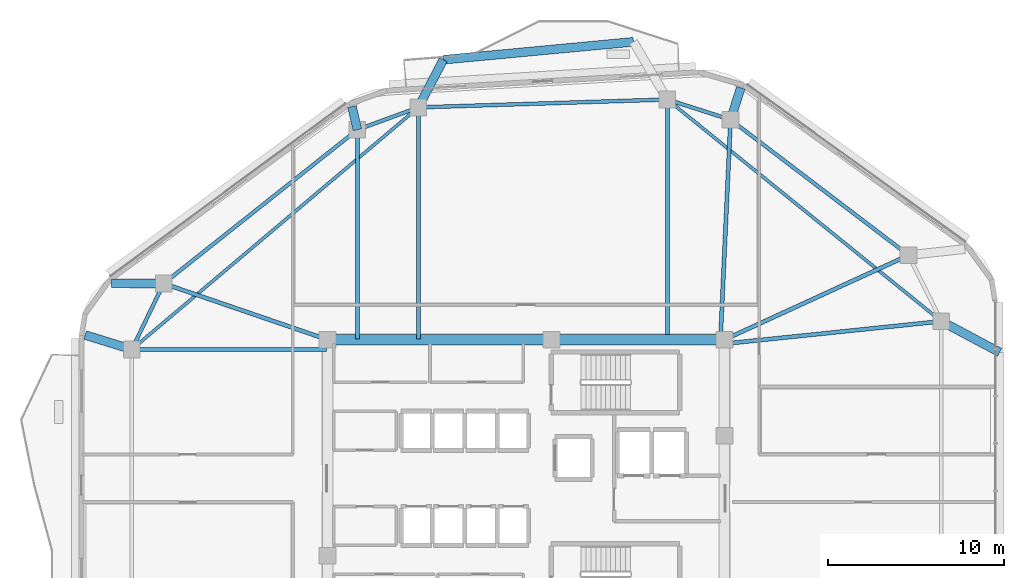
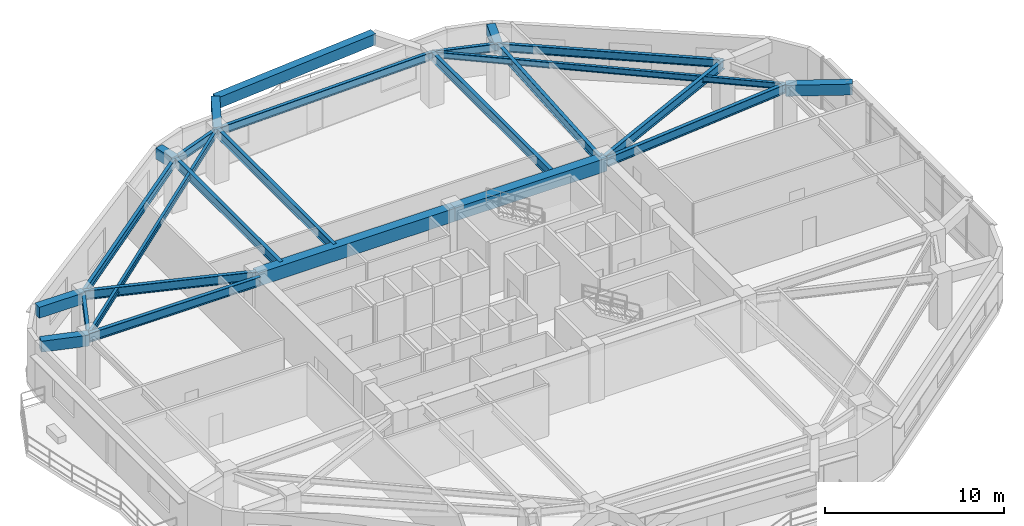
# One storey, part 6 of 14: 25 beams.
"""IFC4 building model written with IfcOpenShell, lengths in metres."""

from ifc_helpers import new_model, si_unit, direction, frame, origin, origin_2d, place, context, subcontext, project, spatial, rectangle, i_section, extrude, material, material_profile, profile_set, type_object, element, save


model = new_model("IFC4")

# Units and contexts
model_context = context("Model", 3, precision=1e-05, world=origin(), true_north=direction((0.0, 1.0)))
body_context = subcontext(model_context, "Body", "Model", "MODEL_VIEW")
ifc_project = project(units=[si_unit("LENGTHUNIT", "METRE"), si_unit("AREAUNIT", "SQUARE_METRE"), si_unit("VOLUMEUNIT", "CUBIC_METRE"), si_unit("PLANEANGLEUNIT", "RADIAN"), si_unit("MASSUNIT", "GRAM", prefix="KILO")], contexts=[model_context])

# Site, building, storey
site_placement = place(None, origin())
site = spatial("IfcSite", under=ifc_project, at=site_placement, CompositionType="ELEMENT")
building_placement = place(site_placement, origin())
building = spatial("IfcBuilding", under=site, at=building_placement, Name="Zulverin Broadcast Headquarters", CompositionType="ELEMENT")
storey_placement = place(building_placement, frame((0.0, 0.0, 201.0)))
storey = spatial("IfcBuildingStorey", under=building, at=storey_placement, Name="L51", CompositionType="ELEMENT", Elevation=201.0)

# Beams
ifc_material_1 = material(Name="Concrete C60/75", Category="concrete")
ifc_material_profile_1 = material_profile(ifc_material_1, rectangle(XDim=0.60009765625, YDim=0.89990234375, at=origin_2d()), Name="Concrete C60/75", Category="concrete")
ifc_profile_set_1 = profile_set([ifc_material_profile_1], Name="Concrete C60/75")
beam_type_1 = type_object("IfcBeamType", Name="BM-CB-600x900", PredefinedType="LINTEL", material=ifc_profile_set_1)
beam_1_placement = place(storey_placement, frame((48.27490234375, 33.074951171875, 3.090087890625), z_axis=(-1.0, 0.0, 0.0), x_axis=(0.0, -1.0, 0.0)))
element("IfcBeam", 1, at=beam_1_placement, inside=storey, type_object=beam_type_1, Name="L51 Core Coupling Girder K05-K06", PredefinedType="LINTEL", context=body_context, shape_type="SweptSolid", body=[
    extrude(rectangle(XDim=0.60009765625, YDim=0.89990234375, at=origin_2d()), origin(), (0.0, 0.0, 1.0), 9.824951171875),
])
beam_2_placement = place(storey_placement, frame((38.449951171875, 33.074951171875, 3.090087890625), z_axis=(-1.0, 0.0, 0.0), x_axis=(0.0, -1.0, 0.0)))
element("IfcBeam", 2, at=beam_2_placement, inside=storey, type_object=beam_type_1, Name="L51 Core Coupling Girder K06-K07", PredefinedType="LINTEL", context=body_context, shape_type="SweptSolid", body=[
    extrude(rectangle(XDim=0.60009765625, YDim=0.89990234375, at=origin_2d()), origin(), (0.0, 0.0, 1.0), 12.724853515625),
])
ifc_material_2 = material(Name="Concrete C40/50", Category="concrete")
ifc_material_profile_2 = material_profile(ifc_material_2, rectangle(XDim=0.5, YDim=0.75, at=origin_2d()), Name="Concrete C40/50", Category="concrete")
ifc_profile_set_2 = profile_set([ifc_material_profile_2], Name="Concrete C40/50")
beam_type_2 = type_object("IfcBeamType", Name="BM-RC-500x750", PredefinedType="BEAM", material=ifc_profile_set_2)
beam_3_placement = place(storey_placement, frame((48.62158203125, 45.574951171875, 3.1650390625), z_axis=(0.306395409062, 0.951904329912, 0.0), x_axis=(-0.951904329912, 0.306395409062, 0.0)))
element("IfcBeam", 3, at=beam_3_placement, inside=storey, type_object=beam_type_2, Name="L52 Plate Overhang Back-Spanned Beam OVR-08", PredefinedType="BEAM", context=body_context, shape_type="SweptSolid", body=[
    extrude(rectangle(XDim=0.5, YDim=0.75, at=origin_2d()), origin(), (0.0, 0.0, 1.0), 1.90283203125),
])
beam_4_placement = place(storey_placement, frame((27.416259765625, 45.00439453125, 3.1650390625), z_axis=(-0.226537446689, 0.97400245649, 0.0), x_axis=(-0.97400245649, -0.226537446689, 0.0)))
element("IfcBeam", 4, at=beam_4_placement, inside=storey, type_object=beam_type_2, Name="L52 Plate Overhang Back-Spanned Beam OVR-11", PredefinedType="BEAM", context=body_context, shape_type="SweptSolid", body=[
    extrude(rectangle(XDim=0.5, YDim=0.75, at=origin_2d()), origin(), (0.0, 0.0, 1.0), 1.349365234375),
])
beam_5_placement = place(storey_placement, frame((16.40869140625, 36.26806640625, 3.1650390625), z_axis=(-0.999987827006, 0.004934150462, 0.0), x_axis=(-0.004934150462, -0.999987827006, 0.0)))
element("IfcBeam", 5, at=beam_5_placement, inside=storey, type_object=beam_type_2, Name="L52 Plate Overhang Back-Spanned Beam OVR-12", PredefinedType="BEAM", context=body_context, shape_type="SweptSolid", body=[
    extrude(rectangle(XDim=0.5, YDim=0.75, at=origin_2d()), origin(), (0.0, 0.0, 1.0), 2.96875),
])
beam_6_placement = place(storey_placement, frame((14.60009765625, 32.523193359375, 3.1650390625), z_axis=(-0.955605630721, 0.294648737542, 0.0), x_axis=(-0.294648737542, -0.955605630721, 0.0)))
element("IfcBeam", 6, at=beam_6_placement, inside=storey, type_object=beam_type_2, Name="L52 Plate Overhang Back-Spanned Beam OVR-13", PredefinedType="BEAM", context=body_context, shape_type="SweptSolid", body=[
    extrude(rectangle(XDim=0.5, YDim=0.75, at=origin_2d()), origin(), (0.0, 0.0, 1.0), 2.773193359375),
])
beam_7_placement = place(storey_placement, frame((60.60009765625, 34.12158203125, 3.1650390625), z_axis=(0.882538495397, -0.470240155817, 0.0), x_axis=(0.470240155817, 0.882538495397, 0.0)))
element("IfcBeam", 7, at=beam_7_placement, inside=storey, type_object=beam_type_2, Name="L52 Balcony Column-Framed Cantilever BAL_E-2", PredefinedType="BEAM", context=body_context, shape_type="SweptSolid", body=[
    extrude(rectangle(XDim=0.5, YDim=0.75, at=origin_2d()), origin(), (0.0, 0.0, 1.0), 3.75),
])
beam_8_placement = place(storey_placement, frame((30.882080078125, 46.27490234375, 3.1650390625), z_axis=(0.464057705073, 0.885804970839, 0.0), x_axis=(-0.885804970839, 0.464057705073, 0.0)))
element("IfcBeam", 8, at=beam_8_placement, inside=storey, type_object=beam_type_2, Name="L52 Balcony Column-Framed Cantilever BAL_N-2", PredefinedType="BEAM", context=body_context, shape_type="SweptSolid", body=[
    extrude(rectangle(XDim=0.5, YDim=0.75, at=origin_2d()), origin(), (0.0, 0.0, 1.0), 3.05810546875),
])
beam_9_placement = place(storey_placement, frame((43.1044921875, 50.001220703125, 3.1650390625), z_axis=(-0.995595327007, -0.093754705709, 0.0), x_axis=(0.093754705709, -0.995595327007, 0.0)))
element("IfcBeam", 9, at=beam_9_placement, inside=storey, type_object=beam_type_2, Name="L52 Balcony Outer Edge Trimmer Beam BAL_N", PredefinedType="BEAM", context=body_context, shape_type="SweptSolid", body=[
    extrude(rectangle(XDim=0.5, YDim=0.75, at=origin_2d()), origin(), (0.0, 0.0, 1.0), 10.85107421875),
])
ifc_material_3 = material(Name="Structural steel S355JR", Category="steel")
ifc_material_profile_3 = material_profile(ifc_material_3, i_section(OverallWidth=0.179443359375, OverallDepth=0.412841796875, WebThickness=0.009521484375, FlangeThickness=0.01611328125, at=origin_2d()), Name="Structural steel S355JR", Category="steel")
ifc_profile_set_3 = profile_set([ifc_material_profile_3], Name="Structural steel S355JR")
beam_type_3 = type_object("IfcBeamType", Name="BM-UB-406", PredefinedType="JOIST", material=ifc_profile_set_3)
beam_10_placement = place(storey_placement, frame((60.60009765625, 34.12158203125, 3.33349609375), z_axis=(-0.777349017335, 0.629069555175, 0.0), x_axis=(-0.629069555175, -0.777349017335, 0.0)))
element("IfcBeam", 10, at=beam_10_placement, inside=storey, type_object=beam_type_3, Name="L51 Chordal Floor Joist J-02", PredefinedType="JOIST", context=body_context, shape_type="SweptSolid", body=[
    extrude(i_section(OverallWidth=0.179443359375, OverallDepth=0.412841796875, WebThickness=0.009521484375, FlangeThickness=0.01611328125, at=origin_2d()), origin(), (0.0, 0.0, 1.0), 20.032958984375),
])
beam_11_placement = place(storey_placement, frame((30.882080078125, 46.27490234375, 3.33349609375), z_axis=(-0.763972566446, -0.645248725468, 0.0), x_axis=(0.645248725468, -0.763972566446, 0.0)))
element("IfcBeam", 11, at=beam_11_placement, inside=storey, type_object=beam_type_3, Name="L51 Chordal Floor Joist J-03", PredefinedType="JOIST", context=body_context, shape_type="SweptSolid", body=[
    extrude(i_section(OverallWidth=0.179443359375, OverallDepth=0.412841796875, WebThickness=0.009521484375, FlangeThickness=0.01611328125, at=origin_2d()), origin(), (0.0, 0.0, 1.0), 21.312255859375),
])
ifc_material_profile_4 = material_profile(ifc_material_3, i_section(OverallWidth=0.2119140625, OverallDepth=0.54443359375, WebThickness=0.0126953125, FlangeThickness=0.021240234375, at=origin_2d()), Name="Structural steel S355JR", Category="steel")
ifc_profile_set_4 = profile_set([ifc_material_profile_4], Name="Structural steel S355JR")
beam_type_4 = type_object("IfcBeamType", Name="BM-UB-533", PredefinedType="SPANDREL", material=ifc_profile_set_4)
beam_12_placement = place(storey_placement, frame((58.738037109375, 37.877685546875, 3.267578125), z_axis=(-0.795830102505, 0.60551998146, 0.0), x_axis=(-0.60551998146, -0.795830102505, 0.0)))
element("IfcBeam", 12, at=beam_12_placement, inside=storey, type_object=beam_type_4, Name="L51 Perimeter Spandrel Beam SP-07", PredefinedType="SPANDREL", context=body_context, shape_type="SweptSolid", body=[
    extrude(i_section(OverallWidth=0.2119140625, OverallDepth=0.54443359375, WebThickness=0.0126953125, FlangeThickness=0.021240234375, at=origin_2d()), origin(), (0.0, 0.0, 1.0), 12.7119140625),
])
beam_13_placement = place(storey_placement, frame((48.62158203125, 45.574951171875, 3.267578125), z_axis=(-0.952531523781, 0.304439971428, 0.0), x_axis=(-0.304439971428, -0.952531523781, 0.0)))
element("IfcBeam", 13, at=beam_13_placement, inside=storey, type_object=beam_type_4, Name="L51 Perimeter Spandrel Beam SP-08", PredefinedType="SPANDREL", context=body_context, shape_type="SweptSolid", body=[
    extrude(i_section(OverallWidth=0.2119140625, OverallDepth=0.54443359375, WebThickness=0.0126953125, FlangeThickness=0.021240234375, at=origin_2d()), origin(), (0.0, 0.0, 1.0), 3.773193359375),
])
beam_14_placement = place(storey_placement, frame((45.027587890625, 46.7236328125, 3.267578125), z_axis=(-0.999497221833, -0.031706522156, 0.0), x_axis=(0.031706522156, -0.999497221833, 0.0)))
element("IfcBeam", 14, at=beam_14_placement, inside=storey, type_object=beam_type_4, Name="L51 Perimeter Spandrel Beam SP-09", PredefinedType="SPANDREL", context=body_context, shape_type="SweptSolid", body=[
    extrude(i_section(OverallWidth=0.2119140625, OverallDepth=0.54443359375, WebThickness=0.0126953125, FlangeThickness=0.021240234375, at=origin_2d()), origin(), (0.0, 0.0, 1.0), 14.152587890625),
])
beam_15_placement = place(storey_placement, frame((30.882080078125, 46.27490234375, 3.267578125), z_axis=(-0.938901965426, -0.344184687805, 0.0), x_axis=(0.344184687805, -0.938901965426, 0.0)))
element("IfcBeam", 15, at=beam_15_placement, inside=storey, type_object=beam_type_4, Name="L51 Perimeter Spandrel Beam SP-10", PredefinedType="SPANDREL", context=body_context, shape_type="SweptSolid", body=[
    extrude(i_section(OverallWidth=0.2119140625, OverallDepth=0.54443359375, WebThickness=0.0126953125, FlangeThickness=0.021240234375, at=origin_2d()), origin(), (0.0, 0.0, 1.0), 3.69140625),
])
beam_16_placement = place(storey_placement, frame((27.416259765625, 45.00439453125, 3.267578125), z_axis=(-0.783283263401, -0.621664965457, 0.0), x_axis=(0.621664965457, -0.783283263401, 0.0)))
element("IfcBeam", 16, at=beam_16_placement, inside=storey, type_object=beam_type_4, Name="L51 Perimeter Spandrel Beam SP-11", PredefinedType="SPANDREL", context=body_context, shape_type="SweptSolid", body=[
    extrude(i_section(OverallWidth=0.2119140625, OverallDepth=0.54443359375, WebThickness=0.0126953125, FlangeThickness=0.021240234375, at=origin_2d()), origin(), (0.0, 0.0, 1.0), 14.05322265625),
])
beam_17_placement = place(storey_placement, frame((16.40869140625, 36.26806640625, 3.267578125), z_axis=(-0.434890248034, -0.900483465792, 0.0), x_axis=(0.900483465792, -0.434890248034, 0.0)))
element("IfcBeam", 17, at=beam_17_placement, inside=storey, type_object=beam_type_4, Name="L51 Perimeter Spandrel Beam SP-12", PredefinedType="SPANDREL", context=body_context, shape_type="SweptSolid", body=[
    extrude(i_section(OverallWidth=0.2119140625, OverallDepth=0.54443359375, WebThickness=0.0126953125, FlangeThickness=0.021240234375, at=origin_2d()), origin(), (0.0, 0.0, 1.0), 4.15869140625),
])
ifc_material_profile_5 = material_profile(ifc_material_3, i_section(OverallWidth=0.230224609375, OverallDepth=0.6171875, WebThickness=0.01318359375, FlangeThickness=0.022216796875, at=origin_2d()), Name="Structural steel S355JR", Category="steel")
ifc_profile_set_5 = profile_set([ifc_material_profile_5], Name="Structural steel S355JR")
beam_type_5 = type_object("IfcBeamType", Name="BM-UB-610", PredefinedType="BEAM", material=ifc_profile_set_5)
beam_18_placement = place(storey_placement, frame((48.324951171875, 32.85009765625, 3.2314453125), z_axis=(0.994678169641, 0.103030766473, 0.0), x_axis=(-0.103030766473, 0.994678169641, 0.0)))
element("IfcBeam", 18, at=beam_18_placement, inside=storey, type_object=beam_type_5, Name="L51 Radial Primary Floor Beam RB-06", PredefinedType="BEAM", context=body_context, shape_type="SweptSolid", body=[
    extrude(i_section(OverallWidth=0.230224609375, OverallDepth=0.6171875, WebThickness=0.01318359375, FlangeThickness=0.022216796875, at=origin_2d()), origin(), (0.0, 0.0, 1.0), 12.3408203125),
])
beam_19_placement = place(storey_placement, frame((48.27490234375, 33.074951171875, 3.2314453125), z_axis=(0.90883007293, 0.417166511764, 0.0), x_axis=(-0.417166511764, 0.90883007293, 0.0)))
element("IfcBeam", 19, at=beam_19_placement, inside=storey, type_object=beam_type_5, Name="L51 Radial Primary Floor Beam RB-07", PredefinedType="BEAM", context=body_context, shape_type="SweptSolid", body=[
    extrude(i_section(OverallWidth=0.230224609375, OverallDepth=0.6171875, WebThickness=0.01318359375, FlangeThickness=0.022216796875, at=origin_2d()), origin(), (0.0, 0.0, 1.0), 11.5126953125),
])
beam_20_placement = place(storey_placement, frame((48.050048828125, 33.125, 3.2314453125), z_axis=(0.045858166026, 0.998947960911, 0.0), x_axis=(-0.998947960911, 0.045858166026, 0.0)))
element("IfcBeam", 20, at=beam_20_placement, inside=storey, type_object=beam_type_5, Name="L51 Radial Primary Floor Beam RB-08", PredefinedType="BEAM", context=body_context, shape_type="SweptSolid", body=[
    extrude(i_section(OverallWidth=0.230224609375, OverallDepth=0.6171875, WebThickness=0.01318359375, FlangeThickness=0.022216796875, at=origin_2d()), origin(), (0.0, 0.0, 1.0), 12.463134765625),
])
beam_21_placement = place(storey_placement, frame((45.027587890625, 33.125, 3.2314453125), z_axis=(0.0, 1.0, 0.0), x_axis=(-1.0, 0.0, 0.0)))
element("IfcBeam", 21, at=beam_21_placement, inside=storey, type_object=beam_type_5, Name="L51 Radial Primary Floor Beam RB-09", PredefinedType="BEAM", context=body_context, shape_type="SweptSolid", body=[
    extrude(i_section(OverallWidth=0.230224609375, OverallDepth=0.6171875, WebThickness=0.01318359375, FlangeThickness=0.022216796875, at=origin_2d()), origin(), (0.0, 0.0, 1.0), 13.5986328125),
])
beam_22_placement = place(storey_placement, frame((30.882080078125, 33.125, 3.2314453125), z_axis=(0.0, 1.0, 0.0), x_axis=(-1.0, 0.0, 0.0)))
element("IfcBeam", 22, at=beam_22_placement, inside=storey, type_object=beam_type_5, Name="L51 Radial Primary Floor Beam RB-10", PredefinedType="BEAM", context=body_context, shape_type="SweptSolid", body=[
    extrude(i_section(OverallWidth=0.230224609375, OverallDepth=0.6171875, WebThickness=0.01318359375, FlangeThickness=0.022216796875, at=origin_2d()), origin(), (0.0, 0.0, 1.0), 13.14990234375),
])
beam_23_placement = place(storey_placement, frame((27.416259765625, 33.125, 3.2314453125), z_axis=(0.0, 1.0, 0.0), x_axis=(-1.0, 0.0, 0.0)))
element("IfcBeam", 23, at=beam_23_placement, inside=storey, type_object=beam_type_5, Name="L51 Radial Primary Floor Beam RB-11", PredefinedType="BEAM", context=body_context, shape_type="SweptSolid", body=[
    extrude(i_section(OverallWidth=0.230224609375, OverallDepth=0.6171875, WebThickness=0.01318359375, FlangeThickness=0.022216796875, at=origin_2d()), origin(), (0.0, 0.0, 1.0), 11.87939453125),
])
beam_24_placement = place(storey_placement, frame((25.72509765625, 33.074951171875, 3.2314453125), z_axis=(-0.945979621685, 0.324226086793, 0.0), x_axis=(-0.324226086793, -0.945979621685, 0.0)))
element("IfcBeam", 24, at=beam_24_placement, inside=storey, type_object=beam_type_5, Name="L51 Radial Primary Floor Beam RB-12", PredefinedType="BEAM", context=body_context, shape_type="SweptSolid", body=[
    extrude(i_section(OverallWidth=0.230224609375, OverallDepth=0.6171875, WebThickness=0.01318359375, FlangeThickness=0.022216796875, at=origin_2d()), origin(), (0.0, 0.0, 1.0), 9.848388671875),
])
beam_25_placement = place(storey_placement, frame((25.675048828125, 32.523193359375, 3.2314453125), z_axis=(-1.0, 0.0, 0.0), x_axis=(0.0, -1.0, 0.0)))
element("IfcBeam", 25, at=beam_25_placement, inside=storey, type_object=beam_type_5, Name="L51 Radial Primary Floor Beam RB-13", PredefinedType="BEAM", context=body_context, shape_type="SweptSolid", body=[
    extrude(i_section(OverallWidth=0.230224609375, OverallDepth=0.6171875, WebThickness=0.01318359375, FlangeThickness=0.022216796875, at=origin_2d()), origin(), (0.0, 0.0, 1.0), 11.074951171875),
])

save(model, "model.ifc")
